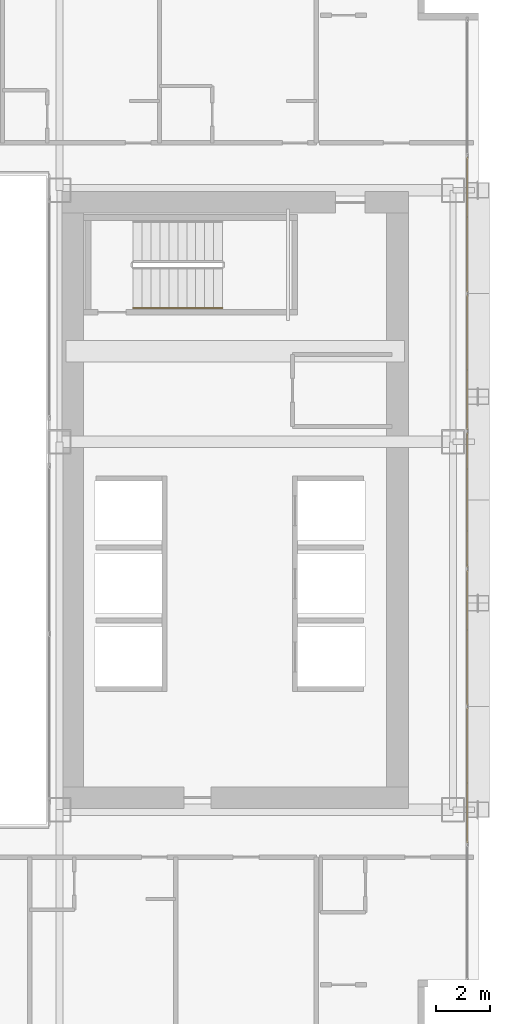
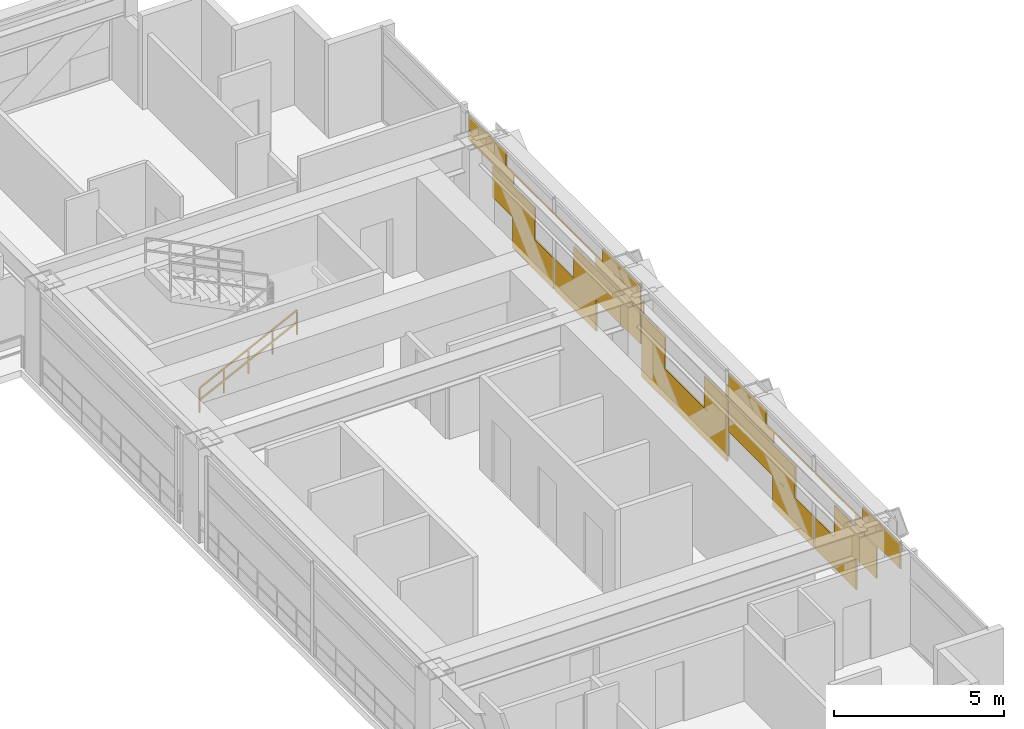
# One storey, part 40 of 41: 1 covering, 1 railing.
"""IFC4 building model written with IfcOpenShell, lengths in metres."""

from ifc_helpers import new_model, si_unit, direction, frame, origin, origin_2d, place, context, subcontext, project, spatial, rectangle, extrude, material, layer, layer_set, type_object, element, save


model = new_model("IFC4")

# Units and contexts
model_context = context("Model", 3, precision=1e-05, world=origin(), true_north=direction((0.0, 1.0)))
body_context = subcontext(model_context, "Body", "Model", "MODEL_VIEW")
ifc_project = project(units=[si_unit("LENGTHUNIT", "METRE"), si_unit("AREAUNIT", "SQUARE_METRE"), si_unit("VOLUMEUNIT", "CUBIC_METRE"), si_unit("PLANEANGLEUNIT", "RADIAN"), si_unit("MASSUNIT", "GRAM", prefix="KILO")], contexts=[model_context])

# Site, building, storey
site_placement = place(None, origin())
site = spatial("IfcSite", under=ifc_project, at=site_placement, CompositionType="ELEMENT")
building_placement = place(site_placement, origin())
building = spatial("IfcBuilding", under=site, at=building_placement, Name="Ocotamira Hotel", CompositionType="ELEMENT")
storey_placement = place(building_placement, frame((0.0, 0.0, 52.800048828125)))
storey = spatial("IfcBuildingStorey", under=building, at=storey_placement, Name="L12", CompositionType="ELEMENT", Elevation=52.800048828125)

# Covering
ifc_material_1 = material(Name="Insulated pale-metal aluminium spandrel panel", Category="aluminium")
ifc_layer = layer(ifc_material_1, 0.044921875)
ifc_layer_set = layer_set([ifc_layer], Name="Insulated pale-metal aluminium spandrel panel")
covering_type = type_object("IfcCoveringType", Name="COV-INFILL-45", PredefinedType="CLADDING", material=ifc_layer_set)
covering_placement = place(storey_placement, origin())
element("IfcCovering", 1, at=covering_placement, inside=storey, type_object=covering_type, Name="L12 Curtain Wall Infill CW-2 CW-L12-E", PredefinedType="CLADDING", context=body_context, shape_type="SweptSolid", body=[
    extrude(rectangle(XDim=2.49658203125, YDim=0.044921875, at=origin_2d()), frame((55.580078125, 15.977783203125, 1.194091796875), z_axis=(0.0, 0.0, 1.0), x_axis=(0.0, 1.0, 0.0)), (0.0, 0.0, 1.0), 1.11767578125),
    extrude(rectangle(XDim=2.415283203125, YDim=0.044921875, at=origin_2d()), frame((55.580078125, 17.123291015625, 0.075439453125), z_axis=(0.0, 0.0, 1.0), x_axis=(0.0, 1.0, 0.0)), (0.0, 0.0, 1.0), 1.11767578125),
    extrude(rectangle(XDim=2.634521484375, YDim=0.044921875, at=origin_2d()), frame((55.580078125, 14.6435546875, 2.38818359375), z_axis=(0.0, 0.0, 1.0), x_axis=(0.0, 1.0, 0.0)), (0.0, 0.0, 1.0), 0.366943359375),
    extrude(rectangle(XDim=5.004638671875, YDim=0.044921875, at=origin_2d()), frame((55.580078125, 15.82861328125, 2.755859375), z_axis=(0.0, 0.0, 1.0), x_axis=(0.0, 1.0, 0.0)), (0.0, 0.0, 1.0), 0.033203125),
    extrude(rectangle(XDim=2.2080078125, YDim=0.044921875, at=origin_2d()), frame((55.580078125, 14.43017578125, 2.79052734375), z_axis=(0.0, 0.0, 1.0), x_axis=(0.0, 1.0, 0.0)), (0.0, 0.0, 1.0), 0.484130859375),
    extrude(rectangle(XDim=2.40576171875, YDim=0.044921875, at=origin_2d()), frame((55.580078125, 19.61474609375, 0.075439453125), z_axis=(0.0, 0.0, 1.0), x_axis=(0.0, 1.0, 0.0)), (0.0, 0.0, 1.0), 1.11767578125),
    extrude(rectangle(XDim=3.90966796875, YDim=0.044921875, at=origin_2d()), frame((55.580078125, 21.4619140625, 1.194091796875), z_axis=(0.0, 0.0, 1.0), x_axis=(0.0, 1.0, 0.0)), (0.0, 0.0, 1.0), 1.11767578125),
    extrude(rectangle(XDim=5.004638671875, YDim=0.044921875, at=origin_2d()), frame((55.580078125, 20.914306640625, 2.755859375), z_axis=(0.0, 0.0, 1.0), x_axis=(0.0, 1.0, 0.0)), (0.0, 0.0, 1.0), 0.033203125),
    extrude(rectangle(XDim=2.64404296875, YDim=0.044921875, at=origin_2d()), frame((55.580078125, 22.094482421875, 2.38818359375), z_axis=(0.0, 0.0, 1.0), x_axis=(0.0, 1.0, 0.0)), (0.0, 0.0, 1.0), 0.366943359375),
    extrude(rectangle(XDim=2.217529296875, YDim=0.044921875, at=origin_2d()), frame((55.580078125, 22.307861328125, 2.79052734375), z_axis=(0.0, 0.0, 1.0), x_axis=(0.0, 1.0, 0.0)), (0.0, 0.0, 1.0), 0.484130859375),
    extrude(rectangle(XDim=5.004638671875, YDim=0.044921875, at=origin_2d()), frame((55.580078125, 26.0, 0.075439453125), z_axis=(0.0, 0.0, 1.0), x_axis=(0.0, 1.0, 0.0)), (0.0, 0.0, 1.0), 1.11767578125),
    extrude(rectangle(XDim=1.362060546875, YDim=0.044921875, at=origin_2d()), frame((55.580078125, 24.1787109375, 1.194091796875), z_axis=(0.0, 0.0, 1.0), x_axis=(0.0, 1.0, 0.0)), (0.0, 0.0, 1.0), 1.11767578125),
    extrude(rectangle(XDim=1.362060546875, YDim=0.044921875, at=origin_2d()), frame((55.580078125, 27.8212890625, 1.194091796875), z_axis=(0.0, 0.0, 1.0), x_axis=(0.0, 1.0, 0.0)), (0.0, 0.0, 1.0), 1.11767578125),
    extrude(rectangle(XDim=0.096435546875, YDim=0.044921875, at=origin_2d()), frame((55.580078125, 23.5458984375, 2.387939453125), z_axis=(0.0, 0.0, 1.0), x_axis=(0.0, 1.0, 0.0)), (0.0, 0.0, 1.0), 0.4013671875),
    extrude(rectangle(XDim=0.096435546875, YDim=0.044921875, at=origin_2d()), frame((55.580078125, 28.4541015625, 2.387939453125), z_axis=(0.0, 0.0, 1.0), x_axis=(0.0, 1.0, 0.0)), (0.0, 0.0, 1.0), 0.4013671875),
    extrude(rectangle(XDim=3.90966796875, YDim=0.044921875, at=origin_2d()), frame((55.580078125, 30.5380859375, 1.194091796875), z_axis=(0.0, 0.0, 1.0), x_axis=(0.0, 1.0, 0.0)), (0.0, 0.0, 1.0), 1.11767578125),
    extrude(rectangle(XDim=2.40576171875, YDim=0.044921875, at=origin_2d()), frame((55.580078125, 32.38525390625, 0.075439453125), z_axis=(0.0, 0.0, 1.0), x_axis=(0.0, 1.0, 0.0)), (0.0, 0.0, 1.0), 1.11767578125),
    extrude(rectangle(XDim=2.64404296875, YDim=0.044921875, at=origin_2d()), frame((55.580078125, 29.905517578125, 2.38818359375), z_axis=(0.0, 0.0, 1.0), x_axis=(0.0, 1.0, 0.0)), (0.0, 0.0, 1.0), 0.366943359375),
    extrude(rectangle(XDim=5.004638671875, YDim=0.044921875, at=origin_2d()), frame((55.580078125, 31.085693359375, 2.755859375), z_axis=(0.0, 0.0, 1.0), x_axis=(0.0, 1.0, 0.0)), (0.0, 0.0, 1.0), 0.033203125),
    extrude(rectangle(XDim=2.217529296875, YDim=0.044921875, at=origin_2d()), frame((55.580078125, 29.692138671875, 2.79052734375), z_axis=(0.0, 0.0, 1.0), x_axis=(0.0, 1.0, 0.0)), (0.0, 0.0, 1.0), 0.484130859375),
    extrude(rectangle(XDim=2.415283203125, YDim=0.044921875, at=origin_2d()), frame((55.580078125, 34.876708984375, 0.075439453125), z_axis=(0.0, 0.0, 1.0), x_axis=(0.0, 1.0, 0.0)), (0.0, 0.0, 1.0), 1.11767578125),
    extrude(rectangle(XDim=2.49658203125, YDim=0.044921875, at=origin_2d()), frame((55.580078125, 36.022216796875, 1.194091796875), z_axis=(0.0, 0.0, 1.0), x_axis=(0.0, 1.0, 0.0)), (0.0, 0.0, 1.0), 1.11767578125),
    extrude(rectangle(XDim=5.004638671875, YDim=0.044921875, at=origin_2d()), frame((55.580078125, 36.17138671875, 2.755859375), z_axis=(0.0, 0.0, 1.0), x_axis=(0.0, 1.0, 0.0)), (0.0, 0.0, 1.0), 0.033203125),
    extrude(rectangle(XDim=2.634521484375, YDim=0.044921875, at=origin_2d()), frame((55.580078125, 37.3564453125, 2.38818359375), z_axis=(0.0, 0.0, 1.0), x_axis=(0.0, 1.0, 0.0)), (0.0, 0.0, 1.0), 0.366943359375),
    extrude(rectangle(XDim=2.2080078125, YDim=0.044921875, at=origin_2d()), frame((55.580078125, 37.56982421875, 2.79052734375), z_axis=(0.0, 0.0, 1.0), x_axis=(0.0, 1.0, 0.0)), (0.0, 0.0, 1.0), 0.484130859375),
])

# Railing
ifc_material_2 = material(Name="Brushed stainless steel handrail", Category="steel")
railing_type = type_object("IfcRailingType", Name="RL-HAND-900", PredefinedType="HANDRAIL", material=ifc_material_2)
railing_placement = place(storey_placement, frame((43.22998046875, 33.10009765625, 0.3271484375)))
element("IfcRailing", 2, at=railing_placement, inside=storey, type_object=railing_type, Name="L12 ST-4 stair handrail 1", PredefinedType="HANDRAIL", context=body_context, shape_type="SweptSolid", body=[
    extrude(rectangle(XDim=0.048095703125, YDim=0.048095703125, at=origin_2d()), frame((0.0, 0.0, 0.8759765625), z_axis=(0.895893744519, 0.0, 0.4442683857), x_axis=(0.0, 1.0, 0.0)), (0.0, 0.0, 1.0), 3.68359375),
    extrude(rectangle(XDim=0.048095703125, YDim=0.048095703125, at=origin_2d()), frame((0.0, 0.0, 0.449951171875), z_axis=(0.895893744519, 0.0, 0.4442683857), x_axis=(0.0, 1.0, 0.0)), (0.0, 0.0, 1.0), 3.68359375),
    extrude(rectangle(XDim=0.0419921875, YDim=0.0419921875, at=origin_2d()), origin(), (0.0, 0.0, 1.0), 0.851806640625),
    extrude(rectangle(XDim=0.0419921875, YDim=0.0419921875, at=origin_2d()), frame((0.824951171875, 0.0, 0.4091796875)), (0.0, 0.0, 1.0), 0.851806640625),
    extrude(rectangle(XDim=0.0419921875, YDim=0.0419921875, at=origin_2d()), frame((1.64990234375, 0.0, 0.818359375)), (0.0, 0.0, 1.0), 0.851806640625),
    extrude(rectangle(XDim=0.0419921875, YDim=0.0419921875, at=origin_2d()), frame((2.47509765625, 0.0, 1.227294921875)), (0.0, 0.0, 1.0), 0.851806640625),
    extrude(rectangle(XDim=0.0419921875, YDim=0.0419921875, at=origin_2d()), frame((3.300048828125, 0.0, 1.636474609375)), (0.0, 0.0, 1.0), 0.851806640625),
])

save(model, "model.ifc")
